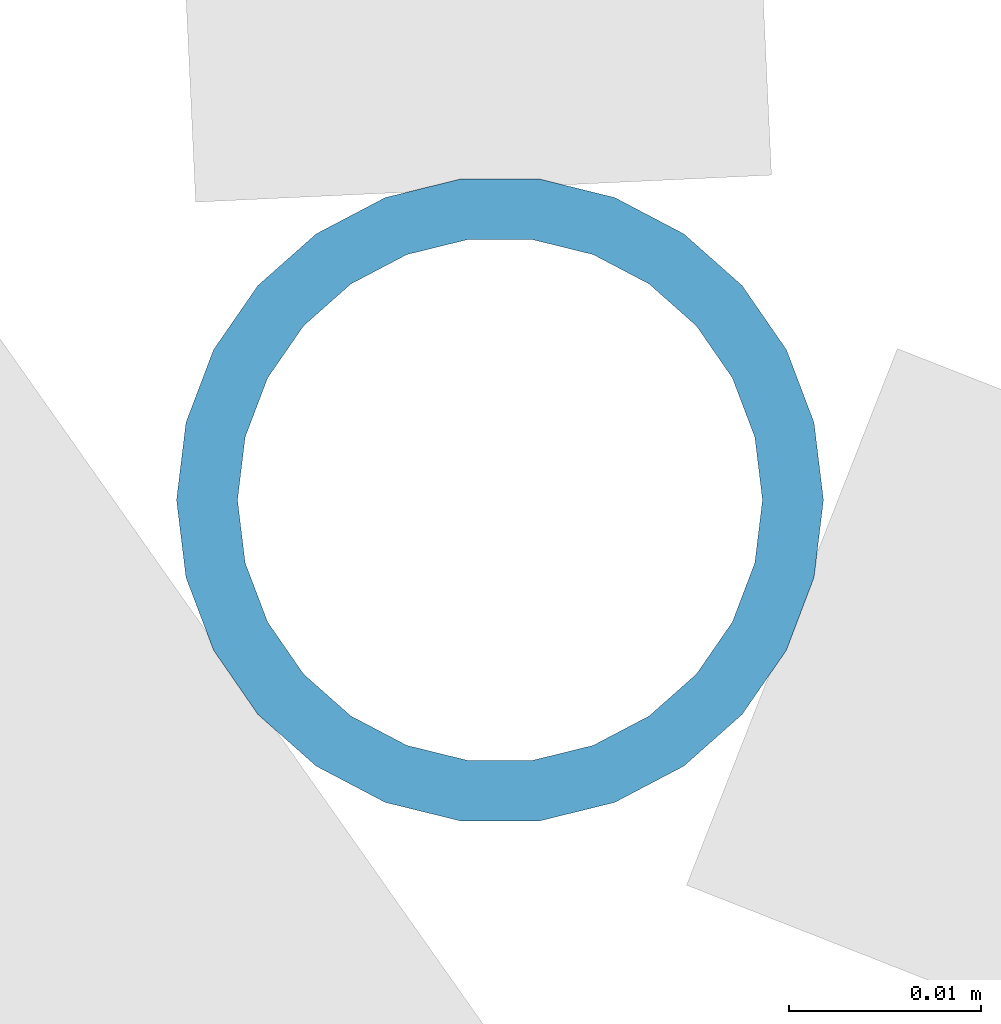
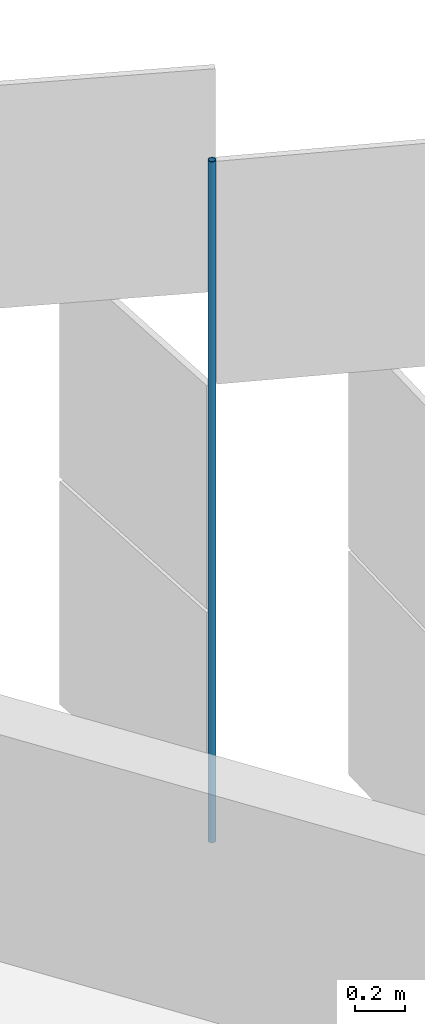
# One storey, part 130 of 198: 1 discrete accessory.
"""IFC4 building model written with IfcOpenShell, lengths in metres."""

from ifc_helpers import new_model, si_unit, direction, frame, origin, origin_2d, place, context, subcontext, project, spatial, hollow_circle, extrude, material, material_profile, profile_set, type_object, element, save


model = new_model("IFC4")

# Units and contexts
model_context = context("Model", 3, precision=1e-05, world=origin(), true_north=direction((0.0, 1.0)))
body_context = subcontext(model_context, "Body", "Model", "MODEL_VIEW")
ifc_project = project(units=[si_unit("LENGTHUNIT", "METRE"), si_unit("AREAUNIT", "SQUARE_METRE"), si_unit("VOLUMEUNIT", "CUBIC_METRE"), si_unit("PLANEANGLEUNIT", "RADIAN"), si_unit("MASSUNIT", "GRAM", prefix="KILO")], contexts=[model_context])

# Site, building, storey
site_placement = place(None, origin())
site = spatial("IfcSite", under=ifc_project, at=site_placement, CompositionType="ELEMENT")
building_placement = place(site_placement, origin())
building = spatial("IfcBuilding", under=site, at=building_placement, Name="Parallax Yard Mobility Hub", CompositionType="ELEMENT")
storey_placement = place(building_placement, frame((0.0, 0.0, 6.60009765625)))
storey = spatial("IfcBuildingStorey", under=building, at=storey_placement, Name="L02", CompositionType="ELEMENT", Elevation=6.60009765625)

# Discrete accessory
ifc_material = material(Name="Steel ASTM A500 Gr C, hot-dip galvanised", Category="steel")
ifc_material_profile = material_profile(ifc_material, hollow_circle(Radius=0.016845703125, WallThickness=0.003173828125, at=origin_2d()), Name="CHS 33.7x3.2")
ifc_profile_set = profile_set([ifc_material_profile], Name="Steel ASTM A500 Gr C, hot-dip galvanised")
discrete_accessory_type = type_object("IfcDiscreteAccessoryType", Name="Hinge post CHS 33.7x3.2", PredefinedType="BRACKET", material=ifc_profile_set)
discrete_accessory_placement = place(storey_placement, frame((216.3271484375, 120.368408203125, 0.0), z_axis=(0.0, 0.0, 1.0), x_axis=(1.0, 0.0, 0.0)))
element("IfcDiscreteAccessory", 1, at=discrete_accessory_placement, inside=storey, type_object=discrete_accessory_type, Name="Hinge post bay 44.7 level L02", PredefinedType="BRACKET", context=body_context, shape_type="SweptSolid", body=[
    extrude(hollow_circle(Radius=0.016845703125, WallThickness=0.003173828125, at=origin_2d()), origin(), (0.0, 0.0, 1.0), 3.2998046875),
])

save(model, "model.ifc")
